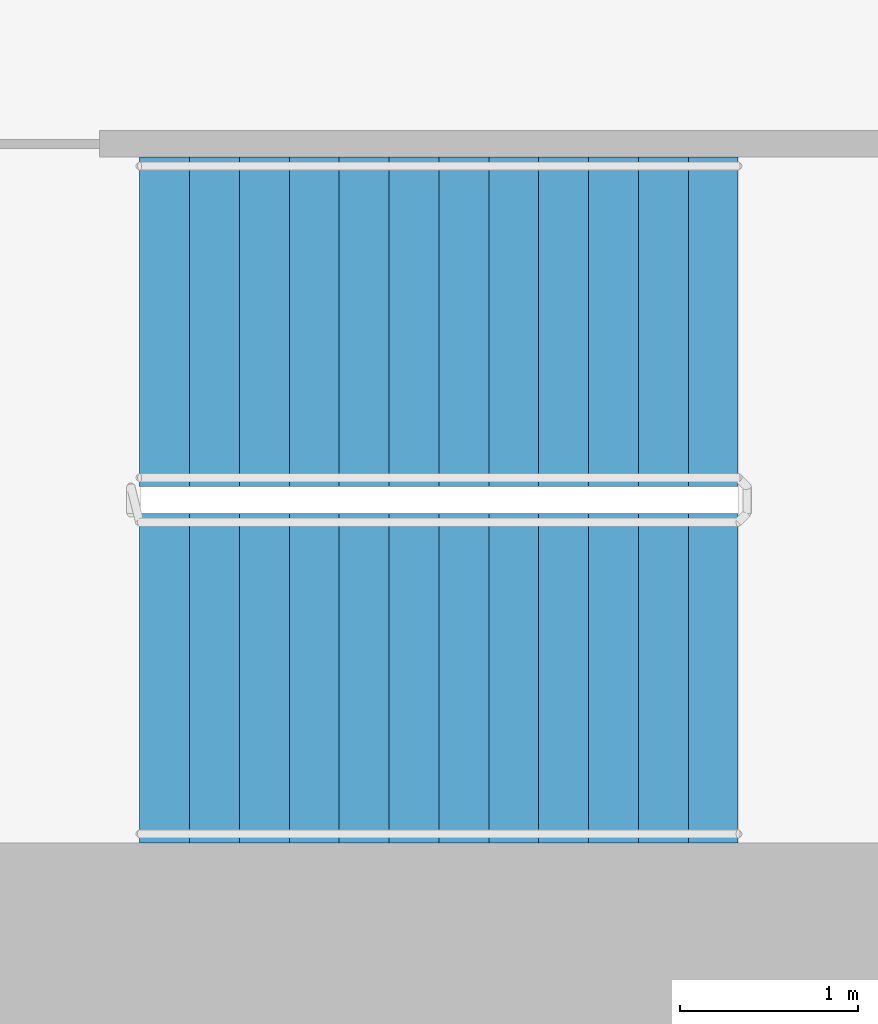
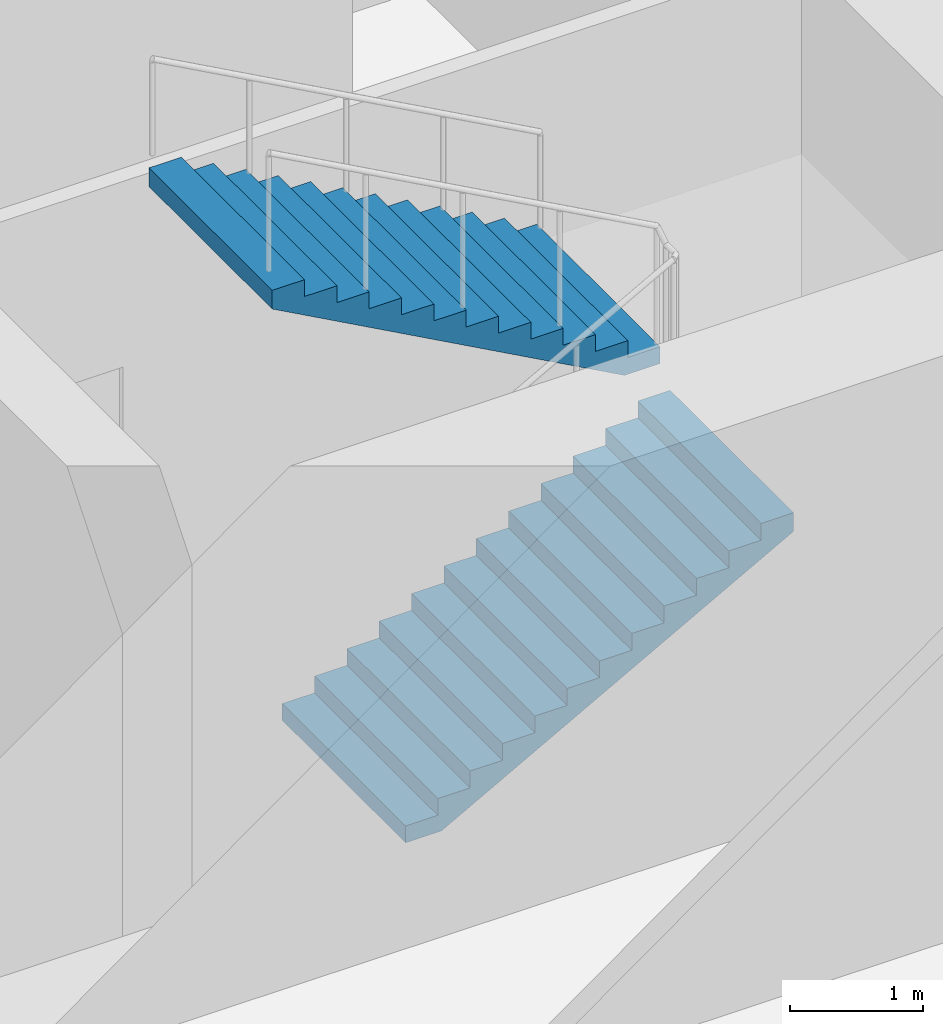
# One storey, part 9 of 11: 2 stair flights, 1 element without a shape of its own.
"""IFC4 building model written with IfcOpenShell, lengths in metres."""

from ifc_helpers import new_model, si_unit, direction, frame, origin, place, context, subcontext, project, spatial, polyline, outline, extrude, material, type_object, element, aggregate, save


model = new_model("IFC4")

# Units and contexts
model_context = context("Model", 3, precision=1e-05, world=origin(), true_north=direction((0.0, 1.0)))
body_context = subcontext(model_context, "Body", "Model", "MODEL_VIEW")
ifc_project = project(units=[si_unit("LENGTHUNIT", "METRE"), si_unit("AREAUNIT", "SQUARE_METRE"), si_unit("VOLUMEUNIT", "CUBIC_METRE"), si_unit("PLANEANGLEUNIT", "RADIAN"), si_unit("MASSUNIT", "GRAM", prefix="KILO")], contexts=[model_context])

# Site, building, storey
site_placement = place(None, origin())
site = spatial("IfcSite", under=ifc_project, at=site_placement, CompositionType="ELEMENT")
building_placement = place(site_placement, origin())
building = spatial("IfcBuilding", under=site, at=building_placement, Name="Zellij Exchange Tower", CompositionType="ELEMENT")
storey_placement = place(building_placement, frame((0.0, 0.0, 56.5)))
storey = spatial("IfcBuildingStorey", under=building, at=storey_placement, Name="L10", CompositionType="ELEMENT", Elevation=56.5)

# Stair, stair flights
ifc_material = material(Name="Concrete C40/50", Category="concrete")
stair_type = type_object("IfcStairType", Name="CORE-ST exit stair 1850 wide", PredefinedType="HALF_TURN_STAIR", material=ifc_material)
stair_placement = place(storey_placement, origin())
stair = element("IfcStair", 1, at=stair_placement, inside=storey, type_object=stair_type, Name="L10 exit stair ST4", PredefinedType="HALF_TURN_STAIR")
stair_flight_type = type_object("IfcStairFlightType", Name="CORE-SF flight 1850 riser 153.8 going 280", PredefinedType="STRAIGHT", material=ifc_material)
stair_flight_1_placement = place(storey_placement, frame((20.14990234375, -11.875, 0.0), z_axis=(0.0, 0.0, 1.0), x_axis=(1.0, 0.0, 0.0)))
stair_flight_1 = element("IfcStairFlight", 2, at=stair_flight_1_placement, type_object=stair_flight_type, Name="ST4 flight 1", NumberOfRisers=13, NumberOfTreads=12, PredefinedType="STRAIGHT", RiserHeight=0.153846154, TreadLength=0.28, context=body_context, shape_type="SweptSolid", body=[
    extrude(outline(polyline([(0.0, 0.0), (0.0, 0.15380859375), (0.280029296875, 0.15380859375), (0.280029296875, 0.3076171875), (0.56005859375, 0.3076171875), (0.56005859375, 0.46142578125), (0.840087890625, 0.46142578125), (0.840087890625, 0.615478515625), (1.1201171875, 0.615478515625), (1.1201171875, 0.769287109375), (1.39990234375, 0.769287109375), (1.39990234375, 0.923095703125), (1.679931640625, 0.923095703125), (1.679931640625, 1.076904296875), (1.9599609375, 1.076904296875), (1.9599609375, 1.230712890625), (2.239990234375, 1.230712890625), (2.239990234375, 1.384521484375), (2.52001953125, 1.384521484375), (2.52001953125, 1.53857421875), (2.800048828125, 1.53857421875), (2.800048828125, 1.6923828125), (3.080078125, 1.6923828125), (3.080078125, 1.84619140625), (3.360107421875, 1.84619140625), (3.360107421875, 2.0), (3.360107421875, 1.675048828125), (0.311279296875, 0.0), (0.0, 0.0)])), frame((0.0, 0.925048828125, 0.0), z_axis=(0.0, -1.0, 0.0), x_axis=(1.0, 0.0, 0.0)), (0.0, 0.0, 1.0), 1.85009765625),
])
stair_flight_2_placement = place(storey_placement, frame((23.510009765625, -9.875, 2.0), z_axis=(0.0, 0.0, 1.0), x_axis=(-1.0, 0.0, 0.0)))
stair_flight_2 = element("IfcStairFlight", 3, at=stair_flight_2_placement, type_object=stair_flight_type, Name="ST4 flight 2", NumberOfRisers=13, NumberOfTreads=12, PredefinedType="STRAIGHT", RiserHeight=0.153846154, TreadLength=0.28, context=body_context, shape_type="SweptSolid", body=[
    extrude(outline(polyline([(0.0, 0.0), (0.0, 0.15380859375), (0.280029296875, 0.15380859375), (0.280029296875, 0.3076171875), (0.56005859375, 0.3076171875), (0.56005859375, 0.46142578125), (0.840087890625, 0.46142578125), (0.840087890625, 0.615478515625), (1.1201171875, 0.615478515625), (1.1201171875, 0.769287109375), (1.39990234375, 0.769287109375), (1.39990234375, 0.923095703125), (1.679931640625, 0.923095703125), (1.679931640625, 1.076904296875), (1.9599609375, 1.076904296875), (1.9599609375, 1.230712890625), (2.239990234375, 1.230712890625), (2.239990234375, 1.384521484375), (2.52001953125, 1.384521484375), (2.52001953125, 1.53857421875), (2.800048828125, 1.53857421875), (2.800048828125, 1.6923828125), (3.080078125, 1.6923828125), (3.080078125, 1.84619140625), (3.360107421875, 1.84619140625), (3.360107421875, 2.0), (3.360107421875, 1.675048828125), (0.311279296875, 0.0), (0.0, 0.0)])), frame((0.0, 0.925048828125, 0.0), z_axis=(0.0, -1.0, 0.0), x_axis=(1.0, 0.0, 0.0)), (0.0, 0.0, 1.0), 1.85009765625),
])
aggregate(stair, [stair_flight_1, stair_flight_2])

save(model, "model.ifc")
